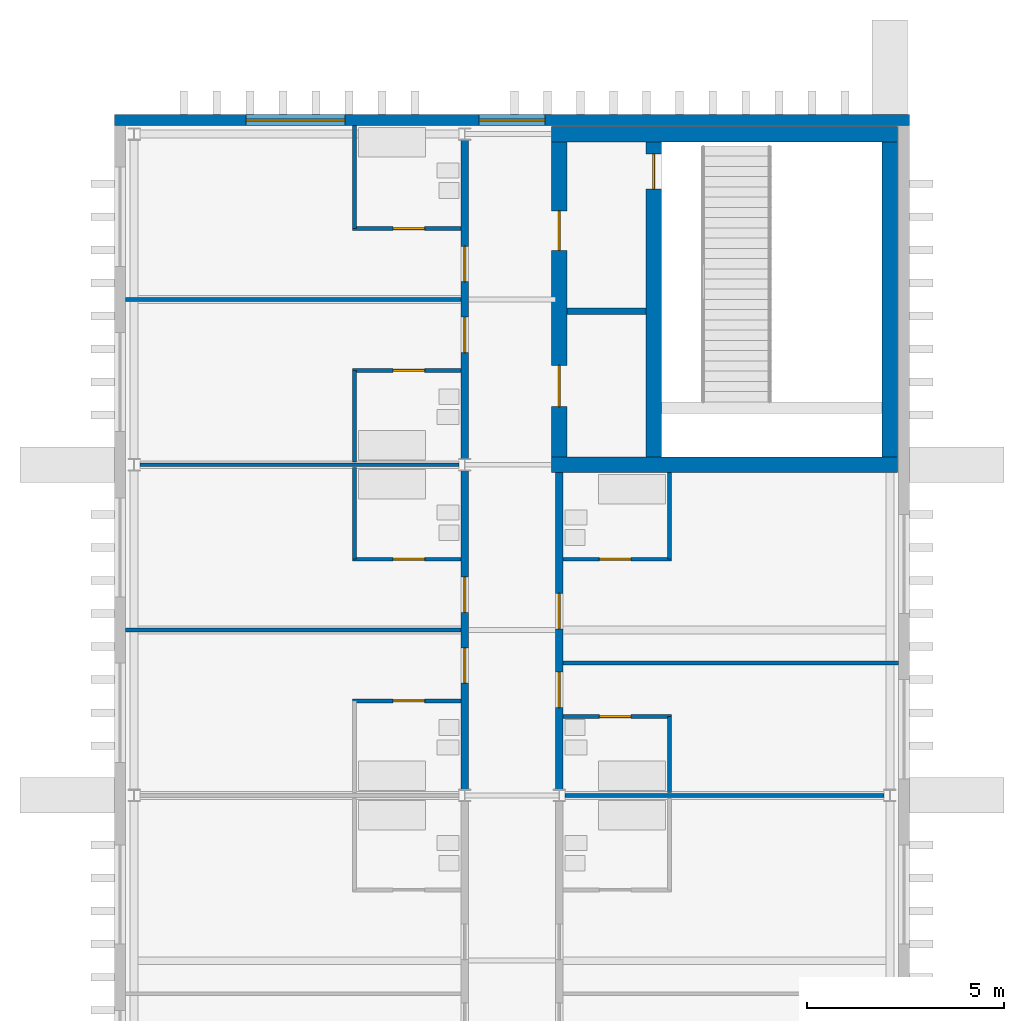
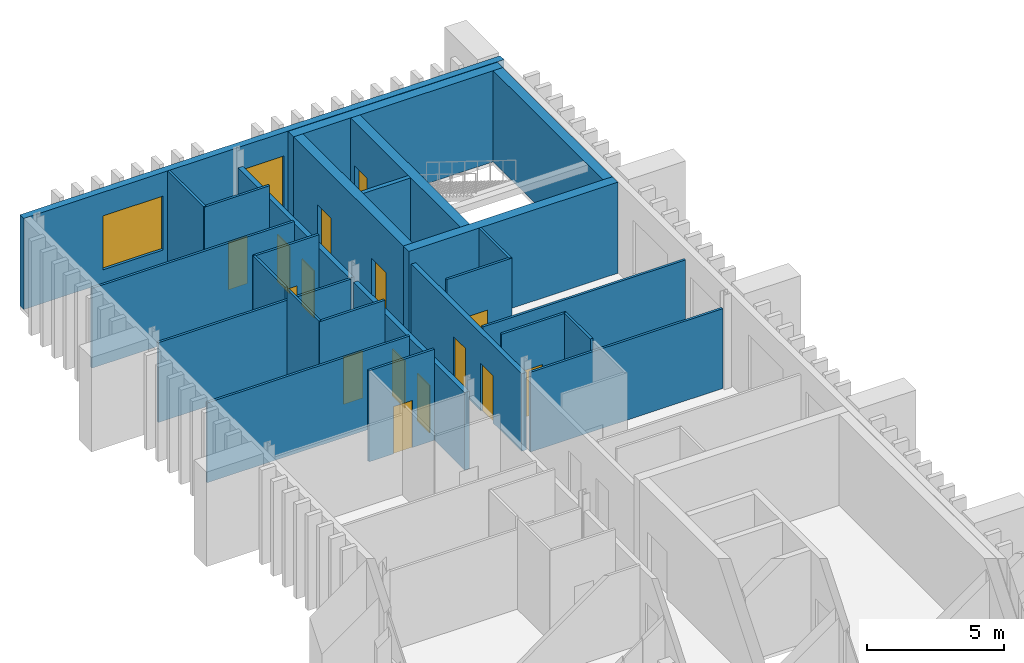
# One storey, part 8 of 11: 26 walls, 15 doors, 2 windows, 17 openings.
"""IFC4 building model written with IfcOpenShell, lengths in metres."""

import ifcopenshell
import ifcopenshell.guid

model = None  # the IFC model being written
_history = None  # IfcOwnerHistory: only IFC2X3 demands one
_inside = {}  # id of a spatial element -> (the spatial element, [elements in it])
_under = {}  # id of a project, library or spatial element -> (it, [spatial elements below it])
_declared = {}  # id of a project -> (the project, [libraries it declares])
_typed = {}  # id of a type object -> (the type object, [elements of that type])
_made_of = {}  # id of a material, layer set ... -> (it, [elements and type objects made of it])


def new_model(schema):
    """Start an empty IFC model of exactly this schema.

    Asked for "IFC4X3", IfcOpenShell would pick the latest addendum, in which some entities
    have other attributes; the version numbers below select the first issue.
    IFC2X3 requires an IfcOwnerHistory on every rooted entity: one is made here for all.
    """
    global model, _history
    if schema == "IFC4X3":
        model = ifcopenshell.file(schema_version=(4, 3, 0, 0))
    else:
        model = ifcopenshell.file(schema=schema)
    _inside.clear()
    _under.clear()
    _declared.clear()
    _typed.clear()
    _made_of.clear()
    _history = None
    if model.schema == "IFC2X3":
        org = make("IfcOrganization", Name="unknown")
        user = make(
            "IfcPersonAndOrganization",
            ThePerson=make("IfcPerson", FamilyName="unknown"),
            TheOrganization=org,
        )
        app = make(
            "IfcApplication",
            ApplicationDeveloper=org,
            Version="unknown",
            ApplicationFullName="unknown",
            ApplicationIdentifier="unknown",
        )
        _history = make(
            "IfcOwnerHistory",
            OwningUser=user,
            OwningApplication=app,
            ChangeAction="ADDED",
            CreationDate=0,
        )
    return model


def make(cls, **values):
    """One entity of the class cls with the attributes given. An attribute that is None is left unset."""
    return model.create_entity(
        cls, **{name: value for name, value in values.items() if value is not None}
    )


def rooted(cls, **values):
    """An entity with a GlobalId (a new one), such as an element, a storey or a relation."""
    return make(cls, GlobalId=ifcopenshell.guid.new(), OwnerHistory=_history, **values)


def si_unit(unit_type, name, prefix=None):
    """IfcSIUnit, for example si_unit("LENGTHUNIT", "METRE", prefix="MILLI")."""
    return make("IfcSIUnit", UnitType=unit_type, Prefix=prefix, Name=name)


def assignment(units):
    """IfcUnitAssignment: the units of a project."""
    return None if units is None else make("IfcUnitAssignment", Units=units)


def point(xyz):
    """IfcCartesianPoint."""
    return None if xyz is None else make("IfcCartesianPoint", Coordinates=xyz)


def direction(xyz):
    """IfcDirection."""
    return None if xyz is None else make("IfcDirection", DirectionRatios=xyz)


def frame(location, z_axis=None, x_axis=None):
    """IfcAxis2Placement3D, a coordinate frame: its origin and axes. An axis left out is left unset."""
    return make(
        "IfcAxis2Placement3D",
        Location=point(location),
        Axis=direction(z_axis),
        RefDirection=direction(x_axis),
    )


def frame_2d(location, x_axis=None):
    """IfcAxis2Placement2D, a coordinate frame in the plane: its origin and x axis."""
    return make(
        "IfcAxis2Placement2D", Location=point(location), RefDirection=direction(x_axis)
    )


def origin():
    """The frame at (0, 0, 0) with its axes left unset."""
    return frame((0.0, 0.0, 0.0))


def place(relative_to, where):
    """IfcLocalPlacement: puts the frame where relative to a parent placement (None: the world)."""
    return make(
        "IfcLocalPlacement", PlacementRelTo=relative_to, RelativePlacement=where
    )


def context(
    kind, dimensions, precision=None, world=None, true_north=None, identifier=None
):
    """IfcGeometricRepresentationContext, for example the 3D "Model" context."""
    return make(
        "IfcGeometricRepresentationContext",
        ContextIdentifier=identifier,
        ContextType=kind,
        CoordinateSpaceDimension=dimensions,
        Precision=precision,
        WorldCoordinateSystem=world,
        TrueNorth=true_north,
    )


def subcontext(parent, identifier, kind, view, scale=None):
    """IfcGeometricRepresentationSubContext, for example "Body" below "Model"."""
    return make(
        "IfcGeometricRepresentationSubContext",
        ContextIdentifier=identifier,
        ContextType=kind,
        ParentContext=parent,
        TargetScale=scale,
        TargetView=view,
    )


def project(units=None, contexts=None):
    """IfcProject with its units and contexts."""
    return rooted(
        "IfcProject",
        Name="project",
        RepresentationContexts=contexts,
        UnitsInContext=assignment(units),
    )


def spatial(cls, under=None, at=None, **own):
    """A site, building, storey or space (cls), placed at a placement, below another one or the project."""
    s = rooted(cls, ObjectPlacement=at, **own)
    if under is not None:
        _under.setdefault(under.id(), (under, []))[1].append(s)
    return s


def profile(cls, at=None, kind="AREA", **sizes):
    """A parametric profile (cls). Its sizes go by their IFC names, for example OverallWidth=200.0."""
    return make(cls, ProfileType=kind, Position=at, **sizes)


def rectangle(**sizes):
    """IfcRectangleProfileDef."""
    return profile("IfcRectangleProfileDef", **sizes)


def extrude(swept, where, along, depth):
    """IfcExtrudedAreaSolid: the profile swept, set in the frame where, extruded along a direction by depth."""
    return make(
        "IfcExtrudedAreaSolid",
        SweptArea=swept,
        Position=where,
        ExtrudedDirection=direction(along),
        Depth=depth,
    )


def shape(context_of_items, identifier, shape_type, items):
    """IfcShapeRepresentation: the items that make up one representation, for example the "Body"."""
    return make(
        "IfcShapeRepresentation",
        ContextOfItems=context_of_items,
        RepresentationIdentifier=identifier,
        RepresentationType=shape_type,
        Items=items,
    )


def material(Name=None, Category=None):
    """IfcMaterial."""
    return make("IfcMaterial", Name=Name, Category=Category)


def layer(
    of_material, thickness, ventilated=None, Name=None, Category=None, Priority=None
):
    """IfcMaterialLayer: one layer of a wall or slab, of a material (None: an air gap)."""
    return make(
        "IfcMaterialLayer",
        Material=of_material,
        LayerThickness=thickness,
        IsVentilated=ventilated,
        Name=Name,
        Category=Category,
        Priority=Priority,
    )


def layer_set(layers, Name=None):
    """IfcMaterialLayerSet."""
    return make("IfcMaterialLayerSet", MaterialLayers=layers, LayerSetName=Name)


def made_of(thing, what):
    """Note that an element or type object is made of a material, layer set ...; save() writes the relation."""
    if what is not None:
        _made_of.setdefault(what.id(), (what, []))[1].append(thing)
    return thing


def type_object(cls, material=None, **own):
    """A type object (cls), such as IfcWallType, which elements share."""
    return made_of(rooted(cls, **own), material)


def element(
    cls,
    number,
    at=None,
    inside=None,
    cuts=None,
    type_object=None,
    material=None,
    context=None,
    identifier="Body",
    shape_type=None,
    held_by="IfcProductDefinitionShape",
    body=None,
    shapes=None,
    **own,
):
    """One element of the class cls, such as IfcWall. Its Tag is "e" and its number.

    at: its placement. inside: the storey or other place that contains it. cuts: it is an
    opening in that element (IfcRelVoidsElement). A single representation is given by context,
    identifier, shape_type and body (its items); several are given by shapes. held_by: the class
    of the entity that holds the representations. save() writes the other relations.
    """
    e = rooted(cls, Tag="e%d" % number, ObjectPlacement=at, **own)
    if body is not None:
        shapes = [shape(context, identifier, shape_type, body)]
    if shapes is not None:
        e.Representation = make(held_by, Representations=shapes)
    if inside is not None:
        _inside.setdefault(inside.id(), (inside, []))[1].append(e)
    if cuts is not None:
        rooted(
            "IfcRelVoidsElement", RelatingBuildingElement=cuts, RelatedOpeningElement=e
        )
    if type_object is not None:
        _typed.setdefault(type_object.id(), (type_object, []))[1].append(e)
    return made_of(e, material)


def fill(opening, filler):
    """IfcRelFillsElement: the door or window that sits in an opening."""
    return rooted(
        "IfcRelFillsElement",
        RelatingOpeningElement=opening,
        RelatedBuildingElement=filler,
    )


def aggregate(whole, parts):
    """IfcRelAggregates: a whole, such as a stair, and the parts it consists of."""
    return rooted("IfcRelAggregates", RelatingObject=whole, RelatedObjects=parts)


def save(model, path):
    """Write the relations noted so far, then the file.

    IfcRelAggregates (storeys below a building ...), IfcRelContainedInSpatialStructure (elements
    in a storey), IfcRelDefinesByType, IfcRelAssociatesMaterial and IfcRelDeclares: one each for
    every whole, place, type object, material and project.
    """
    for whole, parts in _under.values():
        aggregate(whole, parts)
    for where, things in _inside.values():
        rooted(
            "IfcRelContainedInSpatialStructure",
            RelatedElements=things,
            RelatingStructure=where,
        )
    for kind, things in _typed.values():
        rooted("IfcRelDefinesByType", RelatedObjects=things, RelatingType=kind)
    for what, things in _made_of.values():
        rooted("IfcRelAssociatesMaterial", RelatedObjects=things, RelatingMaterial=what)
    for by, libraries in _declared.values():
        rooted("IfcRelDeclares", RelatingContext=by, RelatedDefinitions=libraries)
    model.write(path)


model = new_model("IFC4")

# Units and contexts
model_context = context("Model", 3, precision=1e-05, world=origin(), true_north=direction((0.0, 1.0)))
body_context = subcontext(model_context, "Body", "Model", "MODEL_VIEW")
ifc_project = project(units=[si_unit("LENGTHUNIT", "METRE"), si_unit("AREAUNIT", "SQUARE_METRE"), si_unit("VOLUMEUNIT", "CUBIC_METRE"), si_unit("PLANEANGLEUNIT", "RADIAN"), si_unit("MASSUNIT", "GRAM", prefix="KILO")], contexts=[model_context])

# Site, building, storey
site_placement = place(None, origin())
site = spatial("IfcSite", under=ifc_project, at=site_placement, CompositionType="ELEMENT")
building_placement = place(site_placement, origin())
building = spatial("IfcBuilding", under=site, at=building_placement, Name="Cresset Court Congress Hotel", CompositionType="ELEMENT")
storey_placement = place(building_placement, frame((0.0, 0.0, 60.60009765625)))
storey = spatial("IfcBuildingStorey", under=building, at=storey_placement, Name="L14", CompositionType="ELEMENT", Elevation=60.60009765625)

# Wall, openings, doors
ifc_material_1 = material(Name="Gypsum board partition")
ifc_layer_1 = layer(ifc_material_1, 0.199951171875)
ifc_layer_set_1 = layer_set([ifc_layer_1], Name="Corridor wall 200")
wall_type_1 = type_object("IfcWallType", Name="Corridor wall 200", PredefinedType="PARTITIONING", material=ifc_layer_set_1)
wall_1_placement = place(storey_placement, frame((165.60009765625, 50.550048828125, 0.0), z_axis=(0.0, 0.0, 1.0), x_axis=(0.0, 1.0, 0.0)))
wall_1 = element("IfcWall", 1, at=wall_1_placement, inside=storey, type_object=wall_type_1, Name="A.wl.L14.076", PredefinedType="PARTITIONING", context=body_context, shape_type="SweptSolid", body=[
    extrude(rectangle(XDim=8.099853515625, YDim=0.199951171875, at=frame_2d((4.0498046875, 0.0))), origin(), (0.0, 0.0, 1.0), 3.449951171875),
])
opening_1_placement = place(wall_1_placement, frame((2.699951171875, 0.0, 0.0)))
opening_1 = element("IfcOpeningElement", 2, at=opening_1_placement, cuts=wall_1, Name="Opening DA-14-26", PredefinedType="OPENING", context=body_context, shape_type="SweptSolid", body=[
    extrude(rectangle(XDim=0.89990234375, YDim=2.10009765625, at=frame_2d((0.449951171875, 1.050048828125))), frame((0.0, 0.10986328125, 0.0), z_axis=(0.0, -1.0, 0.0), x_axis=(1.0, 0.0, 0.0)), (0.0, 0.0, 1.0), 0.219970703125),
])
opening_2_placement = place(wall_1_placement, frame((4.5, 0.0, 0.0)))
opening_2 = element("IfcOpeningElement", 3, at=opening_2_placement, cuts=wall_1, Name="Opening DA-14-28", PredefinedType="OPENING", context=body_context, shape_type="SweptSolid", body=[
    extrude(rectangle(XDim=0.89990234375, YDim=2.10009765625, at=frame_2d((0.449951171875, 1.050048828125))), frame((0.0, 0.10986328125, 0.0), z_axis=(0.0, -1.0, 0.0), x_axis=(1.0, 0.0, 0.0)), (0.0, 0.0, 1.0), 0.219970703125),
])
ifc_material_2 = material(Name="timber", Category="wood")
door_type_1 = type_object("IfcDoorType", Name="Guest-room entry door 900x2100 FD30S", OperationType="SINGLE_SWING_LEFT", PredefinedType="DOOR", material=ifc_material_2)
door_1_placement = place(opening_1_placement, origin())
door_1 = element("IfcDoor", 4, at=door_1_placement, inside=storey, type_object=door_type_1, Name="Door DA-14-26", OperationType="SINGLE_SWING_RIGHT", OverallHeight=2.10009765625, OverallWidth=0.89990234375, PredefinedType="DOOR", context=body_context, shape_type="SweptSolid", body=[
    extrude(rectangle(XDim=0.89990234375, YDim=2.10009765625, at=frame_2d((0.449951171875, 1.050048828125))), frame((0.0, 0.02490234375, 0.0), z_axis=(0.0, -1.0, 0.0), x_axis=(1.0, 0.0, 0.0)), (0.0, 0.0, 1.0), 0.050048828125),
])
fill(opening_1, door_1)
door_2_placement = place(opening_2_placement, origin())
door_2 = element("IfcDoor", 5, at=door_2_placement, inside=storey, type_object=door_type_1, Name="Door DA-14-28", OperationType="SINGLE_SWING_LEFT", OverallHeight=2.10009765625, OverallWidth=0.89990234375, PredefinedType="DOOR", context=body_context, shape_type="SweptSolid", body=[
    extrude(rectangle(XDim=0.89990234375, YDim=2.10009765625, at=frame_2d((0.449951171875, 1.050048828125))), frame((0.0, 0.02490234375, 0.0), z_axis=(0.0, -1.0, 0.0), x_axis=(1.0, 0.0, 0.0)), (0.0, 0.0, 1.0), 0.050048828125),
])
fill(opening_2, door_2)

wall_2_placement = place(storey_placement, frame((165.60009765625, 58.949951171875, 0.0), z_axis=(0.0, 0.0, 1.0), x_axis=(0.0, 1.0, 0.0)))
wall_2 = element("IfcWall", 6, at=wall_2_placement, inside=storey, type_object=wall_type_1, Name="A.wl.L14.077", PredefinedType="PARTITIONING", context=body_context, shape_type="SweptSolid", body=[
    extrude(rectangle(XDim=8.10009765625, YDim=0.199951171875, at=frame_2d((4.050048828125, 0.0))), origin(), (0.0, 0.0, 1.0), 3.449951171875),
])
opening_3_placement = place(wall_2_placement, frame((2.699951171875, 0.0, 0.0)))
opening_3 = element("IfcOpeningElement", 7, at=opening_3_placement, cuts=wall_2, Name="Opening DA-14-30", PredefinedType="OPENING", context=body_context, shape_type="SweptSolid", body=[
    extrude(rectangle(XDim=0.89990234375, YDim=2.10009765625, at=frame_2d((0.449951171875, 1.050048828125))), frame((0.0, 0.10986328125, 0.0), z_axis=(0.0, -1.0, 0.0), x_axis=(1.0, 0.0, 0.0)), (0.0, 0.0, 1.0), 0.219970703125),
])
opening_4_placement = place(wall_2_placement, frame((4.5, 0.0, 0.0)))
opening_4 = element("IfcOpeningElement", 8, at=opening_4_placement, cuts=wall_2, Name="Opening DA-14-32", PredefinedType="OPENING", context=body_context, shape_type="SweptSolid", body=[
    extrude(rectangle(XDim=0.89990234375, YDim=2.10009765625, at=frame_2d((0.449951171875, 1.050048828125))), frame((0.0, 0.10986328125, 0.0), z_axis=(0.0, -1.0, 0.0), x_axis=(1.0, 0.0, 0.0)), (0.0, 0.0, 1.0), 0.219970703125),
])
door_3_placement = place(opening_3_placement, origin())
door_3 = element("IfcDoor", 9, at=door_3_placement, inside=storey, type_object=door_type_1, Name="Door DA-14-30", OperationType="SINGLE_SWING_RIGHT", OverallHeight=2.10009765625, OverallWidth=0.89990234375, PredefinedType="DOOR", context=body_context, shape_type="SweptSolid", body=[
    extrude(rectangle(XDim=0.89990234375, YDim=2.10009765625, at=frame_2d((0.449951171875, 1.050048828125))), frame((0.0, 0.02490234375, 0.0), z_axis=(0.0, -1.0, 0.0), x_axis=(1.0, 0.0, 0.0)), (0.0, 0.0, 1.0), 0.050048828125),
])
fill(opening_3, door_3)
door_4_placement = place(opening_4_placement, origin())
door_4 = element("IfcDoor", 10, at=door_4_placement, inside=storey, type_object=door_type_1, Name="Door DA-14-32", OperationType="SINGLE_SWING_LEFT", OverallHeight=2.10009765625, OverallWidth=0.89990234375, PredefinedType="DOOR", context=body_context, shape_type="SweptSolid", body=[
    extrude(rectangle(XDim=0.89990234375, YDim=2.10009765625, at=frame_2d((0.449951171875, 1.050048828125))), frame((0.0, 0.02490234375, 0.0), z_axis=(0.0, -1.0, 0.0), x_axis=(1.0, 0.0, 0.0)), (0.0, 0.0, 1.0), 0.050048828125),
])
fill(opening_4, door_4)

wall_3_placement = place(storey_placement, frame((168.0, 50.550048828125, 0.0), z_axis=(0.0, 0.0, 1.0), x_axis=(0.0, 1.0, 0.0)))
wall_3 = element("IfcWall", 11, at=wall_3_placement, inside=storey, type_object=wall_type_1, Name="A.wl.L14.081", PredefinedType="PARTITIONING", context=body_context, shape_type="SweptSolid", body=[
    extrude(rectangle(XDim=8.050048828125, YDim=0.199951171875, at=frame_2d((4.02490234375, 0.0))), origin(), (0.0, 0.0, 1.0), 3.449951171875),
])
opening_5_placement = place(wall_3_placement, frame((2.080078125, 0.0, 0.0)))
opening_5 = element("IfcOpeningElement", 12, at=opening_5_placement, cuts=wall_3, Name="Opening DA-14-46", PredefinedType="OPENING", context=body_context, shape_type="SweptSolid", body=[
    extrude(rectangle(XDim=0.89990234375, YDim=2.10009765625, at=frame_2d((0.449951171875, 1.050048828125))), frame((0.0, 0.10986328125, 0.0), z_axis=(0.0, -1.0, 0.0), x_axis=(1.0, 0.0, 0.0)), (0.0, 0.0, 1.0), 0.219970703125),
])
opening_6_placement = place(wall_3_placement, frame((4.080078125, 0.0, 0.0)))
opening_6 = element("IfcOpeningElement", 13, at=opening_6_placement, cuts=wall_3, Name="Opening DA-14-48", PredefinedType="OPENING", context=body_context, shape_type="SweptSolid", body=[
    extrude(rectangle(XDim=0.89990234375, YDim=2.10009765625, at=frame_2d((0.449951171875, 1.050048828125))), frame((0.0, 0.10986328125, 0.0), z_axis=(0.0, -1.0, 0.0), x_axis=(1.0, 0.0, 0.0)), (0.0, 0.0, 1.0), 0.219970703125),
])
door_5_placement = place(opening_5_placement, origin())
door_5 = element("IfcDoor", 14, at=door_5_placement, inside=storey, type_object=door_type_1, Name="Door DA-14-46", OperationType="SINGLE_SWING_RIGHT", OverallHeight=2.10009765625, OverallWidth=0.89990234375, PredefinedType="DOOR", context=body_context, shape_type="SweptSolid", body=[
    extrude(rectangle(XDim=0.89990234375, YDim=2.10009765625, at=frame_2d((0.449951171875, 1.050048828125))), frame((0.0, 0.02490234375, 0.0), z_axis=(0.0, -1.0, 0.0), x_axis=(1.0, 0.0, 0.0)), (0.0, 0.0, 1.0), 0.050048828125),
])
fill(opening_5, door_5)
door_6_placement = place(opening_6_placement, origin())
door_6 = element("IfcDoor", 15, at=door_6_placement, inside=storey, type_object=door_type_1, Name="Door DA-14-48", OperationType="SINGLE_SWING_LEFT", OverallHeight=2.10009765625, OverallWidth=0.89990234375, PredefinedType="DOOR", context=body_context, shape_type="SweptSolid", body=[
    extrude(rectangle(XDim=0.89990234375, YDim=2.10009765625, at=frame_2d((0.449951171875, 1.050048828125))), frame((0.0, 0.02490234375, 0.0), z_axis=(0.0, -1.0, 0.0), x_axis=(1.0, 0.0, 0.0)), (0.0, 0.0, 1.0), 0.050048828125),
])
fill(opening_6, door_6)

# Wall, opening, door
ifc_material_3 = material(Name="Gypsum board partition")
ifc_layer_2 = layer(ifc_material_3, 0.10009765625)
ifc_layer_set_2 = layer_set([ifc_layer_2], Name="En-suite wall 100")
wall_type_2 = type_object("IfcWallType", Name="En-suite wall 100", PredefinedType="PARTITIONING", material=ifc_layer_set_2)
wall_4_placement = place(storey_placement, frame((162.75, 52.800048828125, 0.0), z_axis=(0.0, 0.0, 1.0), x_axis=(1.0, 0.0, 0.0)))
wall_4 = element("IfcWall", 16, at=wall_4_placement, inside=storey, type_object=wall_type_2, Name="A.wl.L14.026", PredefinedType="PARTITIONING", context=body_context, shape_type="SweptSolid", body=[
    extrude(rectangle(XDim=2.75, YDim=0.10009765625, at=frame_2d((1.375, 0.0))), origin(), (0.0, 0.0, 1.0), 4.0498046875),
])
opening_7_placement = place(wall_4_placement, frame((1.030029296875, 0.0, 0.0)))
opening_7 = element("IfcOpeningElement", 17, at=opening_7_placement, cuts=wall_4, Name="Opening DA-14-25", PredefinedType="OPENING", context=body_context, shape_type="SweptSolid", body=[
    extrude(rectangle(XDim=0.800048828125, YDim=2.10009765625, at=frame_2d((0.39990234375, 1.050048828125))), frame((0.0, 0.06005859375, 0.0), z_axis=(0.0, -1.0, 0.0), x_axis=(1.0, 0.0, 0.0)), (0.0, 0.0, 1.0), 0.1201171875),
])
ifc_material_4 = material(Name="timber", Category="wood")
door_type_2 = type_object("IfcDoorType", Name="En-suite door 800x2100", OperationType="SINGLE_SWING_LEFT", PredefinedType="DOOR", material=ifc_material_4)
door_7_placement = place(opening_7_placement, origin())
door_7 = element("IfcDoor", 18, at=door_7_placement, inside=storey, type_object=door_type_2, Name="Door DA-14-25", OperationType="SINGLE_SWING_RIGHT", OverallHeight=2.10009765625, OverallWidth=0.800048828125, PredefinedType="DOOR", context=body_context, shape_type="SweptSolid", body=[
    extrude(rectangle(XDim=0.800048828125, YDim=2.10009765625, at=frame_2d((0.39990234375, 1.050048828125))), frame((0.0, 0.02490234375, 0.0), z_axis=(0.0, -1.0, 0.0), x_axis=(1.0, 0.0, 0.0)), (0.0, 0.0, 1.0), 0.050048828125),
])
fill(opening_7, door_7)

# Wall
wall_5_placement = place(storey_placement, frame((162.800048828125, 56.39990234375, 0.0), z_axis=(0.0, 0.0, 1.0), x_axis=(0.0, 1.0, 0.0)))
element("IfcWall", 19, at=wall_5_placement, inside=storey, type_object=wall_type_2, Name="A.wl.L14.027", PredefinedType="PARTITIONING", context=body_context, shape_type="SweptSolid", body=[
    extrude(rectangle(XDim=2.3251953125, YDim=0.10009765625, at=frame_2d((1.16259765625, 0.0))), origin(), (0.0, 0.0, 1.0), 4.0498046875),
])

# Wall, opening, door
wall_6_placement = place(storey_placement, frame((162.75, 56.39990234375, 0.0), z_axis=(0.0, 0.0, 1.0), x_axis=(1.0, 0.0, 0.0)))
wall_6 = element("IfcWall", 20, at=wall_6_placement, inside=storey, type_object=wall_type_2, Name="A.wl.L14.028", PredefinedType="PARTITIONING", context=body_context, shape_type="SweptSolid", body=[
    extrude(rectangle(XDim=2.75, YDim=0.10009765625, at=frame_2d((1.375, 0.0))), origin(), (0.0, 0.0, 1.0), 4.0498046875),
])
opening_8_placement = place(wall_6_placement, frame((1.030029296875, 0.0, 0.0)))
opening_8 = element("IfcOpeningElement", 21, at=opening_8_placement, cuts=wall_6, Name="Opening DA-14-27", PredefinedType="OPENING", context=body_context, shape_type="SweptSolid", body=[
    extrude(rectangle(XDim=0.800048828125, YDim=2.10009765625, at=frame_2d((0.39990234375, 1.050048828125))), frame((0.0, 0.06005859375, 0.0), z_axis=(0.0, -1.0, 0.0), x_axis=(1.0, 0.0, 0.0)), (0.0, 0.0, 1.0), 0.1201171875),
])
door_8_placement = place(opening_8_placement, origin())
door_8 = element("IfcDoor", 22, at=door_8_placement, inside=storey, type_object=door_type_2, Name="Door DA-14-27", OperationType="SINGLE_SWING_LEFT", OverallHeight=2.10009765625, OverallWidth=0.800048828125, PredefinedType="DOOR", context=body_context, shape_type="SweptSolid", body=[
    extrude(rectangle(XDim=0.800048828125, YDim=2.10009765625, at=frame_2d((0.39990234375, 1.050048828125))), frame((0.0, 0.02490234375, 0.0), z_axis=(0.0, -1.0, 0.0), x_axis=(1.0, 0.0, 0.0)), (0.0, 0.0, 1.0), 0.050048828125),
])
fill(opening_8, door_8)

# Wall
wall_7_placement = place(storey_placement, frame((162.800048828125, 58.875, 0.0), z_axis=(0.0, 0.0, 1.0), x_axis=(0.0, 1.0, 0.0)))
element("IfcWall", 23, at=wall_7_placement, inside=storey, type_object=wall_type_2, Name="A.wl.L14.029", PredefinedType="PARTITIONING", context=body_context, shape_type="SweptSolid", body=[
    extrude(rectangle(XDim=2.324951171875, YDim=0.10009765625, at=frame_2d((1.16259765625, 0.0))), origin(), (0.0, 0.0, 1.0), 4.0498046875),
])

# Wall, opening, door
wall_8_placement = place(storey_placement, frame((162.75, 61.199951171875, 0.0), z_axis=(0.0, 0.0, 1.0), x_axis=(1.0, 0.0, 0.0)))
wall_8 = element("IfcWall", 24, at=wall_8_placement, inside=storey, type_object=wall_type_2, Name="A.wl.L14.030", PredefinedType="PARTITIONING", context=body_context, shape_type="SweptSolid", body=[
    extrude(rectangle(XDim=2.75, YDim=0.10009765625, at=frame_2d((1.375, 0.0))), origin(), (0.0, 0.0, 1.0), 4.0498046875),
])
opening_9_placement = place(wall_8_placement, frame((1.030029296875, 0.0, 0.0)))
opening_9 = element("IfcOpeningElement", 25, at=opening_9_placement, cuts=wall_8, Name="Opening DA-14-29", PredefinedType="OPENING", context=body_context, shape_type="SweptSolid", body=[
    extrude(rectangle(XDim=0.800048828125, YDim=2.10009765625, at=frame_2d((0.39990234375, 1.050048828125))), frame((0.0, 0.06005859375, 0.0), z_axis=(0.0, -1.0, 0.0), x_axis=(1.0, 0.0, 0.0)), (0.0, 0.0, 1.0), 0.1201171875),
])
door_9_placement = place(opening_9_placement, origin())
door_9 = element("IfcDoor", 26, at=door_9_placement, inside=storey, type_object=door_type_2, Name="Door DA-14-29", OperationType="SINGLE_SWING_RIGHT", OverallHeight=2.10009765625, OverallWidth=0.800048828125, PredefinedType="DOOR", context=body_context, shape_type="SweptSolid", body=[
    extrude(rectangle(XDim=0.800048828125, YDim=2.10009765625, at=frame_2d((0.39990234375, 1.050048828125))), frame((0.0, 0.02490234375, 0.0), z_axis=(0.0, -1.0, 0.0), x_axis=(1.0, 0.0, 0.0)), (0.0, 0.0, 1.0), 0.050048828125),
])
fill(opening_9, door_9)

# Wall
wall_9_placement = place(storey_placement, frame((162.800048828125, 64.800048828125, 0.0), z_axis=(0.0, 0.0, 1.0), x_axis=(0.0, 1.0, 0.0)))
element("IfcWall", 27, at=wall_9_placement, inside=storey, type_object=wall_type_2, Name="A.wl.L14.031", PredefinedType="PARTITIONING", context=body_context, shape_type="SweptSolid", body=[
    extrude(rectangle(XDim=2.619873046875, YDim=0.10009765625, at=frame_2d((1.31005859375, 0.0))), origin(), (0.0, 0.0, 1.0), 4.0498046875),
])

# Wall, opening, door
wall_10_placement = place(storey_placement, frame((162.75, 64.800048828125, 0.0), z_axis=(0.0, 0.0, 1.0), x_axis=(1.0, 0.0, 0.0)))
wall_10 = element("IfcWall", 28, at=wall_10_placement, inside=storey, type_object=wall_type_2, Name="A.wl.L14.032", PredefinedType="PARTITIONING", context=body_context, shape_type="SweptSolid", body=[
    extrude(rectangle(XDim=2.75, YDim=0.10009765625, at=frame_2d((1.375, 0.0))), origin(), (0.0, 0.0, 1.0), 4.0498046875),
])
opening_10_placement = place(wall_10_placement, frame((1.030029296875, 0.0, 0.0)))
opening_10 = element("IfcOpeningElement", 29, at=opening_10_placement, cuts=wall_10, Name="Opening DA-14-31", PredefinedType="OPENING", context=body_context, shape_type="SweptSolid", body=[
    extrude(rectangle(XDim=0.800048828125, YDim=2.10009765625, at=frame_2d((0.39990234375, 1.050048828125))), frame((0.0, 0.06005859375, 0.0), z_axis=(0.0, -1.0, 0.0), x_axis=(1.0, 0.0, 0.0)), (0.0, 0.0, 1.0), 0.1201171875),
])
door_10_placement = place(opening_10_placement, origin())
door_10 = element("IfcDoor", 30, at=door_10_placement, inside=storey, type_object=door_type_2, Name="Door DA-14-31", OperationType="SINGLE_SWING_LEFT", OverallHeight=2.10009765625, OverallWidth=0.800048828125, PredefinedType="DOOR", context=body_context, shape_type="SweptSolid", body=[
    extrude(rectangle(XDim=0.800048828125, YDim=2.10009765625, at=frame_2d((0.39990234375, 1.050048828125))), frame((0.0, 0.02490234375, 0.0), z_axis=(0.0, -1.0, 0.0), x_axis=(1.0, 0.0, 0.0)), (0.0, 0.0, 1.0), 0.050048828125),
])
fill(opening_10, door_10)

# Wall
wall_11_placement = place(storey_placement, frame((170.800048828125, 50.47509765625, 0.0), z_axis=(0.0, 0.0, 1.0), x_axis=(0.0, 1.0, 0.0)))
element("IfcWall", 31, at=wall_11_placement, inside=storey, type_object=wall_type_2, Name="A.wl.L14.045", PredefinedType="PARTITIONING", context=body_context, shape_type="SweptSolid", body=[
    extrude(rectangle(XDim=1.9248046875, YDim=0.10009765625, at=frame_2d((0.96240234375, 0.0))), origin(), (0.0, 0.0, 1.0), 4.0498046875),
])

# Wall, opening, door
wall_12_placement = place(storey_placement, frame((170.85009765625, 52.39990234375, 0.0), z_axis=(0.0, 0.0, 1.0), x_axis=(-1.0, 0.0, 0.0)))
wall_12 = element("IfcWall", 32, at=wall_12_placement, inside=storey, type_object=wall_type_2, Name="A.wl.L14.046", PredefinedType="PARTITIONING", context=body_context, shape_type="SweptSolid", body=[
    extrude(rectangle(XDim=2.75, YDim=0.10009765625, at=frame_2d((1.375, 0.0))), origin(), (0.0, 0.0, 1.0), 4.0498046875),
])
opening_11_placement = place(wall_12_placement, frame((1.030029296875, 0.0, 0.0)))
opening_11 = element("IfcOpeningElement", 33, at=opening_11_placement, cuts=wall_12, Name="Opening DA-14-45", PredefinedType="OPENING", context=body_context, shape_type="SweptSolid", body=[
    extrude(rectangle(XDim=0.800048828125, YDim=2.10009765625, at=frame_2d((0.39990234375, 1.050048828125))), frame((0.0, 0.06005859375, 0.0), z_axis=(0.0, -1.0, 0.0), x_axis=(1.0, 0.0, 0.0)), (0.0, 0.0, 1.0), 0.1201171875),
])
door_11_placement = place(opening_11_placement, origin())
door_11 = element("IfcDoor", 34, at=door_11_placement, inside=storey, type_object=door_type_2, Name="Door DA-14-45", OperationType="SINGLE_SWING_RIGHT", OverallHeight=2.10009765625, OverallWidth=0.800048828125, PredefinedType="DOOR", context=body_context, shape_type="SweptSolid", body=[
    extrude(rectangle(XDim=0.800048828125, YDim=2.10009765625, at=frame_2d((0.39990234375, 1.050048828125))), frame((0.0, 0.02490234375, 0.0), z_axis=(0.0, -1.0, 0.0), x_axis=(1.0, 0.0, 0.0)), (0.0, 0.0, 1.0), 0.050048828125),
])
fill(opening_11, door_11)

# Wall
wall_13_placement = place(storey_placement, frame((170.800048828125, 56.39990234375, 0.0), z_axis=(0.0, 0.0, 1.0), x_axis=(0.0, 1.0, 0.0)))
element("IfcWall", 35, at=wall_13_placement, inside=storey, type_object=wall_type_2, Name="A.wl.L14.047", PredefinedType="PARTITIONING", context=body_context, shape_type="SweptSolid", body=[
    extrude(rectangle(XDim=2.2001953125, YDim=0.10009765625, at=frame_2d((1.10009765625, 0.0))), origin(), (0.0, 0.0, 1.0), 4.0498046875),
])

# Wall, opening, door
wall_14_placement = place(storey_placement, frame((170.85009765625, 56.39990234375, 0.0), z_axis=(0.0, 0.0, 1.0), x_axis=(-1.0, 0.0, 0.0)))
wall_14 = element("IfcWall", 36, at=wall_14_placement, inside=storey, type_object=wall_type_2, Name="A.wl.L14.048", PredefinedType="PARTITIONING", context=body_context, shape_type="SweptSolid", body=[
    extrude(rectangle(XDim=2.75, YDim=0.10009765625, at=frame_2d((1.375, 0.0))), origin(), (0.0, 0.0, 1.0), 4.0498046875),
])
opening_12_placement = place(wall_14_placement, frame((1.030029296875, 0.0, 0.0)))
opening_12 = element("IfcOpeningElement", 37, at=opening_12_placement, cuts=wall_14, Name="Opening DA-14-47", PredefinedType="OPENING", context=body_context, shape_type="SweptSolid", body=[
    extrude(rectangle(XDim=0.800048828125, YDim=2.10009765625, at=frame_2d((0.39990234375, 1.050048828125))), frame((0.0, 0.06005859375, 0.0), z_axis=(0.0, -1.0, 0.0), x_axis=(1.0, 0.0, 0.0)), (0.0, 0.0, 1.0), 0.1201171875),
])
door_12_placement = place(opening_12_placement, origin())
door_12 = element("IfcDoor", 38, at=door_12_placement, inside=storey, type_object=door_type_2, Name="Door DA-14-47", OperationType="SINGLE_SWING_LEFT", OverallHeight=2.10009765625, OverallWidth=0.800048828125, PredefinedType="DOOR", context=body_context, shape_type="SweptSolid", body=[
    extrude(rectangle(XDim=0.800048828125, YDim=2.10009765625, at=frame_2d((0.39990234375, 1.050048828125))), frame((0.0, 0.02490234375, 0.0), z_axis=(0.0, -1.0, 0.0), x_axis=(1.0, 0.0, 0.0)), (0.0, 0.0, 1.0), 0.050048828125),
])
fill(opening_12, door_12)

# Wall, openings, windows
ifc_material_5 = material(Name="Precast concrete C50", Category="concrete")
ifc_layer_3 = layer(ifc_material_5, 0.280029296875)
ifc_layer_set_3 = layer_set([ifc_layer_3], Name="Gable end wall 280")
wall_type_3 = type_object("IfcWallType", Name="Gable end wall 280", PredefinedType="SOLIDWALL", material=ifc_layer_set_3)
wall_15_placement = place(storey_placement, frame((156.699951171875, 67.56005859375, 0.0), z_axis=(0.0, 0.0, 1.0), x_axis=(1.0, 0.0, 0.0)))
wall_15 = element("IfcWall", 39, at=wall_15_placement, inside=storey, type_object=wall_type_3, Name="A.ew.L14.N.1", PredefinedType="SOLIDWALL", context=body_context, shape_type="SweptSolid", body=[
    extrude(rectangle(XDim=20.199951171875, YDim=0.280029296875, at=frame_2d((10.10009765625, 0.0))), origin(), (0.0, 0.0, 1.0), 4.0498046875),
])
opening_13_placement = place(wall_15_placement, frame((9.260009765625, 0.0, 0.60009765625)))
opening_13 = element("IfcOpeningElement", 40, at=opening_13_placement, cuts=wall_15, Name="Opening NA-14-27", PredefinedType="OPENING", context=body_context, shape_type="SweptSolid", body=[
    extrude(rectangle(XDim=1.679931640625, YDim=2.39990234375, at=frame_2d((0.83984375, 1.199951171875))), frame((0.0, 0.14990234375, 0.0), z_axis=(0.0, -1.0, 0.0), x_axis=(1.0, 0.0, 0.0)), (0.0, 0.0, 1.0), 0.300048828125),
])
opening_14_placement = place(wall_15_placement, frame((3.340087890625, 0.0, 0.60009765625)))
opening_14 = element("IfcOpeningElement", 41, at=opening_14_placement, cuts=wall_15, Name="Opening NA-14-28", PredefinedType="OPENING", context=body_context, shape_type="SweptSolid", body=[
    extrude(rectangle(XDim=2.52001953125, YDim=2.39990234375, at=frame_2d((1.260009765625, 1.199951171875))), frame((0.0, 0.14990234375, 0.0), z_axis=(0.0, -1.0, 0.0), x_axis=(1.0, 0.0, 0.0)), (0.0, 0.0, 1.0), 0.300048828125),
])
ifc_material_6 = material(Name="Aluminium and glass", Category="aluminium")
window_type_1 = type_object("IfcWindowType", Name="Window 1680x2400", PartitioningType="SINGLE_PANEL", PredefinedType="WINDOW", material=ifc_material_6)
window_1_placement = place(opening_13_placement, origin())
window_1 = element("IfcWindow", 42, at=window_1_placement, inside=storey, type_object=window_type_1, Name="Window NA-14-27", OverallHeight=2.39990234375, OverallWidth=1.679931640625, PartitioningType="SINGLE_PANEL", PredefinedType="WINDOW", context=body_context, shape_type="SweptSolid", body=[
    extrude(rectangle(XDim=1.679931640625, YDim=2.39990234375, at=frame_2d((0.83984375, 1.199951171875))), frame((0.0, 0.030029296875, 0.0), z_axis=(0.0, -1.0, 0.0), x_axis=(1.0, 0.0, 0.0)), (0.0, 0.0, 1.0), 0.06005859375),
])
fill(opening_13, window_1)
ifc_material_7 = material(Name="Aluminium and glass", Category="aluminium")
window_type_2 = type_object("IfcWindowType", Name="Window 2520x2400", PartitioningType="SINGLE_PANEL", PredefinedType="WINDOW", material=ifc_material_7)
window_2_placement = place(opening_14_placement, origin())
window_2 = element("IfcWindow", 43, at=window_2_placement, inside=storey, type_object=window_type_2, Name="Window NA-14-28", OverallHeight=2.39990234375, OverallWidth=2.52001953125, PartitioningType="SINGLE_PANEL", PredefinedType="WINDOW", context=body_context, shape_type="SweptSolid", body=[
    extrude(rectangle(XDim=2.52001953125, YDim=2.39990234375, at=frame_2d((1.260009765625, 1.199951171875))), frame((0.0, 0.030029296875, 0.0), z_axis=(0.0, -1.0, 0.0), x_axis=(1.0, 0.0, 0.0)), (0.0, 0.0, 1.0), 0.06005859375),
])
fill(opening_14, window_2)

# Walls
ifc_material_8 = material(Name="Gypsum board partition")
ifc_layer_4 = layer(ifc_material_8, 0.10009765625)
ifc_layer_set_4 = layer_set([ifc_layer_4], Name="Guest-room partition 100")
wall_type_4 = type_object("IfcWallType", Name="Guest-room partition 100", PredefinedType="PARTITIONING", material=ifc_layer_set_4)
wall_16_placement = place(storey_placement, frame((157.35009765625, 58.800048828125, 0.0), z_axis=(0.0, 0.0, 1.0), x_axis=(1.0, 0.0, 0.0)))
element("IfcWall", 44, at=wall_16_placement, inside=storey, type_object=wall_type_4, Name="A.wl.L14.055", PredefinedType="PARTITIONING", context=body_context, shape_type="SweptSolid", body=[
    extrude(rectangle(XDim=8.099853515625, YDim=0.10009765625, at=frame_2d((4.0498046875, 0.0))), origin(), (0.0, 0.0, 1.0), 3.5498046875),
])
wall_17_placement = place(storey_placement, frame((168.14990234375, 50.39990234375, 0.0), z_axis=(0.0, 0.0, 1.0), x_axis=(1.0, 0.0, 0.0)))
element("IfcWall", 45, at=wall_17_placement, inside=storey, type_object=wall_type_4, Name="A.wl.L14.057", PredefinedType="PARTITIONING", context=body_context, shape_type="SweptSolid", body=[
    extrude(rectangle(XDim=8.10009765625, YDim=0.10009765625, at=frame_2d((4.050048828125, 0.0))), origin(), (0.0, 0.0, 1.0), 3.5498046875),
])
for number, where, z_axis, x_axis, name in (
    (46, (156.97998046875, 54.60009765625, 0.0), (0.0, 0.0, 1.0), (1.0, 0.0, 0.0), "A.wl.L14.064"),
    (47, (156.97998046875, 63.0, 0.0), (0.0, 0.0, 1.0), (1.0, 0.0, 0.0), "A.wl.L14.065"),
    (48, (168.10009765625, 53.760009765625, 0.0), (0.0, 0.0, 1.0), (1.0, 0.0, 0.0), "A.wl.L14.069"),
):
    element("IfcWall", number, at=place(storey_placement, frame(where, z_axis=z_axis, x_axis=x_axis)), inside=storey, type_object=wall_type_4, Name=name, PredefinedType="PARTITIONING", context=body_context, shape_type="SweptSolid", body=[
        extrude(rectangle(XDim=8.52001953125, YDim=0.10009765625, at=frame_2d((4.260009765625, 0.0))), origin(), (0.0, 0.0, 1.0), 3.5498046875),
    ])
ifc_material_9 = material(Name="Concrete block wall", Category="concrete")
ifc_layer_5 = layer(ifc_material_9, 0.175048828125)
ifc_layer_set_5 = layer_set([ifc_layer_5], Name="Riser shaft wall 175")
wall_type_5 = type_object("IfcWallType", Name="Riser shaft wall 175", PredefinedType="PARTITIONING", material=ifc_layer_set_5)
wall_18_placement = place(storey_placement, frame((168.199951171875, 62.699951171875, 0.0), z_axis=(0.0, 0.0, 1.0), x_axis=(1.0, 0.0, 0.0)))
element("IfcWall", 49, at=wall_18_placement, inside=storey, type_object=wall_type_5, Name="A.wl.L14.085", PredefinedType="PARTITIONING", context=body_context, shape_type="SweptSolid", body=[
    extrude(rectangle(XDim=2.0, YDim=0.175048828125, at=frame_2d((1.0, 0.0))), origin(), (0.0, 0.0, 1.0), 4.0498046875),
])
ifc_material_10 = material(Name="Concrete C50", Category="concrete")
ifc_layer_6 = layer(ifc_material_10, 0.39990234375)
ifc_layer_set_6 = layer_set([ifc_layer_6], Name="Stair core wall 400")
wall_type_6 = type_object("IfcWallType", Name="Stair core wall 400", PredefinedType="SOLIDWALL", material=ifc_layer_set_6)
for number, where, z_axis, x_axis, name in (
    (50, (167.800048828125, 58.800048828125, 0.0), (0.0, 0.0, 1.0), (1.0, 0.0, 0.0), "A.cw.ST-A2.L14.S"),
    (51, (167.800048828125, 67.199951171875, 0.0), (0.0, 0.0, 1.0), (1.0, 0.0, 0.0), "A.cw.ST-A2.L14.N"),
):
    element("IfcWall", number, at=place(storey_placement, frame(where, z_axis=z_axis, x_axis=x_axis)), inside=storey, type_object=wall_type_6, Name=name, PredefinedType="SOLIDWALL", context=body_context, shape_type="SweptSolid", body=[
        extrude(rectangle(XDim=8.800048828125, YDim=0.39990234375, at=frame_2d((4.39990234375, 0.0))), origin(), (0.0, 0.0, 1.0), 4.0498046875),
    ])

# Wall, openings, doors
wall_19_placement = place(storey_placement, frame((168.0, 59.0, 0.0), z_axis=(0.0, 0.0, 1.0), x_axis=(0.0, 1.0, 0.0)))
wall_19 = element("IfcWall", 52, at=wall_19_placement, inside=storey, type_object=wall_type_6, Name="A.cw.ST-A2.L14.W", PredefinedType="SOLIDWALL", context=body_context, shape_type="SweptSolid", body=[
    extrude(rectangle(XDim=8.0, YDim=0.39990234375, at=frame_2d((4.0, 0.0))), origin(), (0.0, 0.0, 1.0), 4.0498046875),
])
opening_15_placement = place(wall_19_placement, frame((5.25, 0.0, 0.0)))
opening_15 = element("IfcOpeningElement", 53, at=opening_15_placement, cuts=wall_19, Name="Opening DA-14-53", PredefinedType="OPENING", context=body_context, shape_type="SweptSolid", body=[
    extrude(rectangle(XDim=1.0, YDim=2.10009765625, at=frame_2d((0.5, 1.050048828125))), frame((0.0, 0.2099609375, 0.0), z_axis=(0.0, -1.0, 0.0), x_axis=(1.0, 0.0, 0.0)), (0.0, 0.0, 1.0), 0.419921875),
])
opening_16_placement = place(wall_19_placement, frame((1.27490234375, 0.0, 0.0)))
opening_16 = element("IfcOpeningElement", 54, at=opening_16_placement, cuts=wall_19, Name="Opening DA-14-54", PredefinedType="OPENING", context=body_context, shape_type="SweptSolid", body=[
    extrude(rectangle(XDim=1.050048828125, YDim=2.10009765625, at=frame_2d((0.52490234375, 1.050048828125))), frame((0.0, 0.2099609375, 0.0), z_axis=(0.0, -1.0, 0.0), x_axis=(1.0, 0.0, 0.0)), (0.0, 0.0, 1.0), 0.419921875),
])
ifc_material_11 = material(Name="steel", Category="steel")
door_type_3 = type_object("IfcDoorType", Name="Housekeeping room door 1050x2100 FD30", OperationType="SINGLE_SWING_LEFT", PredefinedType="DOOR", material=ifc_material_11)
door_13_placement = place(opening_16_placement, origin())
door_13 = element("IfcDoor", 55, at=door_13_placement, inside=storey, type_object=door_type_3, Name="Door DA-14-54", OperationType="SINGLE_SWING_RIGHT", OverallHeight=2.10009765625, OverallWidth=1.050048828125, PredefinedType="DOOR", context=body_context, shape_type="SweptSolid", body=[
    extrude(rectangle(XDim=1.050048828125, YDim=2.10009765625, at=frame_2d((0.52490234375, 1.050048828125))), frame((0.0, 0.02490234375, 0.0), z_axis=(0.0, -1.0, 0.0), x_axis=(1.0, 0.0, 0.0)), (0.0, 0.0, 1.0), 0.050048828125),
])
fill(opening_16, door_13)
ifc_material_12 = material(Name="steel", Category="steel")
door_type_4 = type_object("IfcDoorType", Name="Lobby door 1000x2100 FD60", OperationType="SINGLE_SWING_LEFT", PredefinedType="DOOR", material=ifc_material_12)
door_14_placement = place(opening_15_placement, origin())
door_14 = element("IfcDoor", 56, at=door_14_placement, inside=storey, type_object=door_type_4, Name="Door DA-14-53", OperationType="SINGLE_SWING_LEFT", OverallHeight=2.10009765625, OverallWidth=1.0, PredefinedType="DOOR", context=body_context, shape_type="SweptSolid", body=[
    extrude(rectangle(XDim=1.0, YDim=2.10009765625, at=frame_2d((0.5, 1.050048828125))), frame((0.0, 0.02490234375, 0.0), z_axis=(0.0, -1.0, 0.0), x_axis=(1.0, 0.0, 0.0)), (0.0, 0.0, 1.0), 0.050048828125),
])
fill(opening_15, door_14)

# Wall
wall_20_placement = place(storey_placement, frame((176.39990234375, 59.0, 0.0), z_axis=(0.0, 0.0, 1.0), x_axis=(0.0, 1.0, 0.0)))
element("IfcWall", 57, at=wall_20_placement, inside=storey, type_object=wall_type_6, Name="A.cw.ST-A2.L14.E", PredefinedType="SOLIDWALL", context=body_context, shape_type="SweptSolid", body=[
    extrude(rectangle(XDim=8.0, YDim=0.39990234375, at=frame_2d((4.0, 0.0))), origin(), (0.0, 0.0, 1.0), 4.0498046875),
])

# Wall, opening, door
wall_21_placement = place(storey_placement, frame((170.39990234375, 59.0, 0.0), z_axis=(0.0, 0.0, 1.0), x_axis=(0.0, 1.0, 0.0)))
wall_21 = element("IfcWall", 58, at=wall_21_placement, inside=storey, type_object=wall_type_6, Name="A.wl.L14.084", PredefinedType="SOLIDWALL", context=body_context, shape_type="SweptSolid", body=[
    extrude(rectangle(XDim=8.0, YDim=0.39990234375, at=frame_2d((4.0, 0.0))), origin(), (0.0, 0.0, 1.0), 4.0498046875),
])
opening_17_placement = place(wall_21_placement, frame((6.800048828125, 0.0, 0.0)))
opening_17 = element("IfcOpeningElement", 59, at=opening_17_placement, cuts=wall_21, Name="Opening DA-14-52", PredefinedType="OPENING", context=body_context, shape_type="SweptSolid", body=[
    extrude(rectangle(XDim=0.89990234375, YDim=2.10009765625, at=frame_2d((0.449951171875, 1.050048828125))), frame((0.0, 0.2099609375, 0.0), z_axis=(0.0, -1.0, 0.0), x_axis=(1.0, 0.0, 0.0)), (0.0, 0.0, 1.0), 0.419921875),
])
ifc_material_13 = material(Name="steel", Category="steel")
door_type_5 = type_object("IfcDoorType", Name="Stair door 900x2100 FD60", OperationType="SINGLE_SWING_LEFT", PredefinedType="DOOR", material=ifc_material_13)
door_15_placement = place(opening_17_placement, origin())
door_15 = element("IfcDoor", 60, at=door_15_placement, inside=storey, type_object=door_type_5, Name="Door DA-14-52", OperationType="SINGLE_SWING_RIGHT", OverallHeight=2.10009765625, OverallWidth=0.89990234375, PredefinedType="DOOR", context=body_context, shape_type="SweptSolid", body=[
    extrude(rectangle(XDim=0.89990234375, YDim=2.10009765625, at=frame_2d((0.449951171875, 1.050048828125))), frame((0.0, 0.02490234375, 0.0), z_axis=(0.0, -1.0, 0.0), x_axis=(1.0, 0.0, 0.0)), (0.0, 0.0, 1.0), 0.050048828125),
])
fill(opening_17, door_15)

save(model, "model.ifc")
